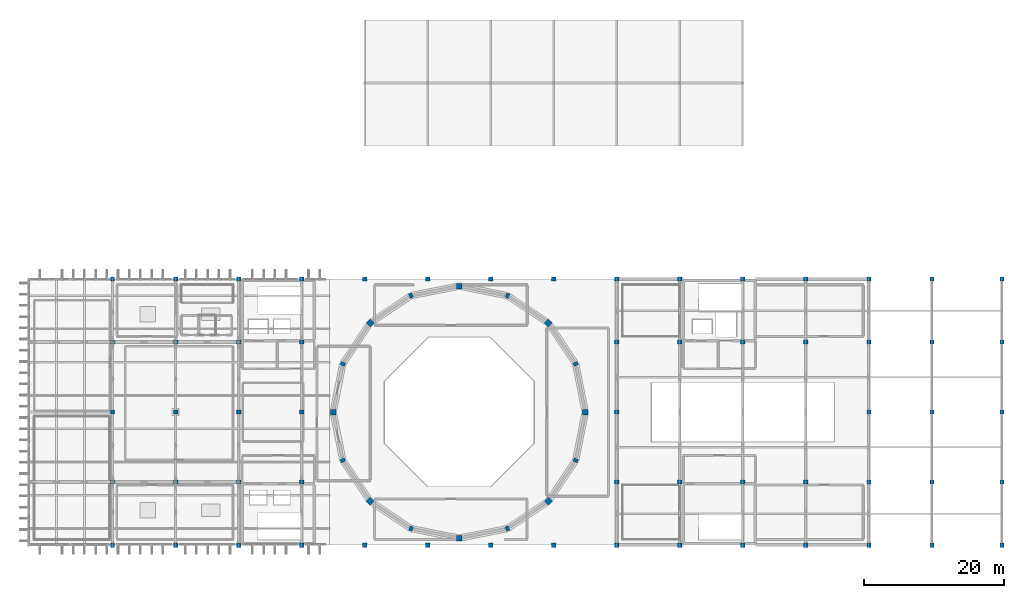
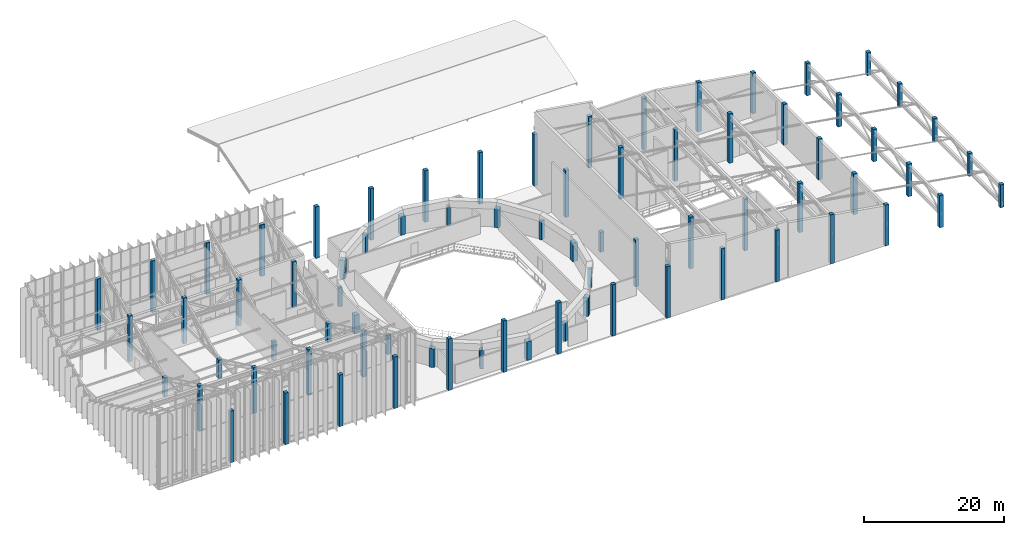
# One storey, part 1 of 68: 76 columns.
"""IFC4 building model written with IfcOpenShell, lengths in metres."""

from ifc_helpers import new_model, si_unit, direction, frame, origin, origin_2d, place, context, subcontext, project, spatial, rectangle, extrude, material, material_profile, profile_set, type_object, element, save


model = new_model("IFC4")

# Units and contexts
model_context = context("Model", 3, precision=1e-05, world=origin(), true_north=direction((0.0, 1.0)))
body_context = subcontext(model_context, "Body", "Model", "MODEL_VIEW")
ifc_project = project(units=[si_unit("LENGTHUNIT", "METRE"), si_unit("AREAUNIT", "SQUARE_METRE"), si_unit("VOLUMEUNIT", "CUBIC_METRE"), si_unit("PLANEANGLEUNIT", "RADIAN"), si_unit("MASSUNIT", "GRAM", prefix="KILO")], contexts=[model_context])

# Site, building, storey
site_placement = place(None, origin())
site = spatial("IfcSite", under=ifc_project, at=site_placement, CompositionType="ELEMENT")
building_placement = place(site_placement, origin())
building = spatial("IfcBuilding", under=site, at=building_placement, Name="Miravela Opera House", CompositionType="ELEMENT")
storey_placement = place(building_placement, frame((0.0, 0.0, 21.760009765625)))
storey = spatial("IfcBuildingStorey", under=building, at=storey_placement, Name="L05", CompositionType="ELEMENT", Elevation=21.760009765625)

# Columns
ifc_material_1 = material(Name="Concrete C35/45", Category="concrete")
ifc_material_profile_1 = material_profile(ifc_material_1, rectangle(XDim=0.60009765625, YDim=0.60009765625, at=origin_2d()), Name="RC-COL-600X600")
ifc_profile_set_1 = profile_set([ifc_material_profile_1])
column_type_1 = type_object("IfcColumnType", Name="STR-COL-RC600", PredefinedType="COLUMN", material=ifc_profile_set_1)
for number, where, z_axis, x_axis, name in (
    (1, (81.0, 37.0, 0.0), (0.0, 0.0, 1.0), (1.0, 0.0, 0.0), "Column C-10E (L05)"),
    (2, (81.0, 75.0, 0.0), (0.0, 0.0, 1.0), (1.0, 0.0, 0.0), "Column C-10I (L05)"),
    (3, (90.0, 37.0, 0.0), (0.0, 0.0, 1.0), (1.0, 0.0, 0.0), "Column C-11E (L05)"),
    (4, (90.0, 75.0, 0.0), (0.0, 0.0, 1.0), (1.0, 0.0, 0.0), "Column C-11I (L05)"),
    (5, (99.0, 37.0, 0.0), (0.0, 0.0, 1.0), (1.0, 0.0, 0.0), "Column C-12E (L05)"),
):
    element("IfcColumn", number, at=place(storey_placement, frame(where, z_axis=z_axis, x_axis=x_axis)), inside=storey, type_object=column_type_1, Name=name, PredefinedType="COLUMN", context=body_context, shape_type="SweptSolid", body=[
        extrude(rectangle(XDim=0.60009765625, YDim=0.60009765625, at=origin_2d()), origin(), (0.0, 0.0, 1.0), 9.0),
    ])
column_1_placement = place(storey_placement, frame((99.0, 46.0, 0.0), z_axis=(0.0, 0.0, 1.0), x_axis=(1.0, 0.0, 0.0)))
element("IfcColumn", 6, at=column_1_placement, inside=storey, type_object=column_type_1, Name="Column C-12F (L05)", PredefinedType="COLUMN", context=body_context, shape_type="SweptSolid", body=[
    extrude(rectangle(XDim=0.60009765625, YDim=0.60009765625, at=origin_2d()), origin(), (0.0, 0.0, 1.0), 8.216796875),
])
column_2_placement = place(storey_placement, frame((99.0, 56.0, 0.0), z_axis=(0.0, 0.0, 1.0), x_axis=(1.0, 0.0, 0.0)))
element("IfcColumn", 7, at=column_2_placement, inside=storey, type_object=column_type_1, Name="Column C-12G (L05)", PredefinedType="COLUMN", context=body_context, shape_type="SweptSolid", body=[
    extrude(rectangle(XDim=0.60009765625, YDim=0.60009765625, at=origin_2d()), origin(), (0.0, 0.0, 1.0), 3.47998046875),
])
column_3_placement = place(storey_placement, frame((99.0, 66.0, 0.0), z_axis=(0.0, 0.0, 1.0), x_axis=(1.0, 0.0, 0.0)))
element("IfcColumn", 8, at=column_3_placement, inside=storey, type_object=column_type_1, Name="Column C-12H (L05)", PredefinedType="COLUMN", context=body_context, shape_type="SweptSolid", body=[
    extrude(rectangle(XDim=0.60009765625, YDim=0.60009765625, at=origin_2d()), origin(), (0.0, 0.0, 1.0), 8.216796875),
])
for number, where, z_axis, x_axis, name in (
    (9, (99.0, 75.0, 0.0), (0.0, 0.0, 1.0), (1.0, 0.0, 0.0), "Column C-12I (L05)"),
    (10, (108.0, 37.0, 0.0), (0.0, 0.0, 1.0), (1.0, 0.0, 0.0), "Column C-13E (L05)"),
    (11, (108.0, 46.0, 0.0), (0.0, 0.0, 1.0), (1.0, 0.0, 0.0), "Column C-13F (L05)"),
    (12, (108.0, 66.0, 0.0), (0.0, 0.0, 1.0), (1.0, 0.0, 0.0), "Column C-13H (L05)"),
    (13, (108.0, 75.0, 0.0), (0.0, 0.0, 1.0), (1.0, 0.0, 0.0), "Column C-13I (L05)"),
    (14, (117.0, 37.0, 0.0), (0.0, 0.0, 1.0), (1.0, 0.0, 0.0), "Column C-14E (L05)"),
    (15, (117.0, 46.0, 0.0), (0.0, 0.0, 1.0), (1.0, 0.0, 0.0), "Column C-14F (L05)"),
    (16, (117.0, 66.0, 0.0), (0.0, 0.0, 1.0), (1.0, 0.0, 0.0), "Column C-14H (L05)"),
    (17, (117.0, 75.0, 0.0), (0.0, 0.0, 1.0), (1.0, 0.0, 0.0), "Column C-14I (L05)"),
):
    element("IfcColumn", number, at=place(storey_placement, frame(where, z_axis=z_axis, x_axis=x_axis)), inside=storey, type_object=column_type_1, Name=name, PredefinedType="COLUMN", context=body_context, shape_type="SweptSolid", body=[
        extrude(rectangle(XDim=0.60009765625, YDim=0.60009765625, at=origin_2d()), origin(), (0.0, 0.0, 1.0), 9.0),
    ])
for number, where, z_axis, x_axis, name in (
    (18, (126.0, 37.0, 0.0), (0.0, 0.0, 1.0), (1.0, 0.0, 0.0), "Column C-15E (L05)"),
    (19, (126.0, 46.0, 0.0), (0.0, 0.0, 1.0), (1.0, 0.0, 0.0), "Column C-15F (L05)"),
    (20, (126.0, 66.0, 0.0), (0.0, 0.0, 1.0), (1.0, 0.0, 0.0), "Column C-15H (L05)"),
    (21, (126.0, 75.0, 0.0), (0.0, 0.0, 1.0), (1.0, 0.0, 0.0), "Column C-15I (L05)"),
):
    element("IfcColumn", number, at=place(storey_placement, frame(where, z_axis=z_axis, x_axis=x_axis)), inside=storey, type_object=column_type_1, Name=name, PredefinedType="COLUMN", context=body_context, shape_type="SweptSolid", body=[
        extrude(rectangle(XDim=0.60009765625, YDim=0.60009765625, at=origin_2d()), origin(), (0.0, 0.0, 1.0), 8.601806640625),
    ])
for number, where, z_axis, x_axis, name in (
    (22, (135.0, 37.0, 0.0), (0.0, 0.0, 1.0), (1.0, 0.0, 0.0), "Column C-16E (L05)"),
    (23, (135.0, 46.0, 0.0), (0.0, 0.0, 1.0), (1.0, 0.0, 0.0), "Column C-16F (L05)"),
    (24, (135.0, 56.0, 0.0), (0.0, 0.0, 1.0), (1.0, 0.0, 0.0), "Column C-16G (L05)"),
    (25, (135.0, 66.0, 0.0), (0.0, 0.0, 1.0), (1.0, 0.0, 0.0), "Column C-16H (L05)"),
    (26, (135.0, 75.0, 0.0), (0.0, 0.0, 1.0), (1.0, 0.0, 0.0), "Column C-16I (L05)"),
):
    element("IfcColumn", number, at=place(storey_placement, frame(where, z_axis=z_axis, x_axis=x_axis)), inside=storey, type_object=column_type_1, Name=name, PredefinedType="COLUMN", context=body_context, shape_type="SweptSolid", body=[
        extrude(rectangle(XDim=0.60009765625, YDim=0.60009765625, at=origin_2d()), origin(), (0.0, 0.0, 1.0), 7.129150390625),
    ])
for number, where, z_axis, x_axis, name in (
    (27, (144.0, 37.0, 0.0), (0.0, 0.0, 1.0), (1.0, 0.0, 0.0), "Column C-17E (L05)"),
    (28, (144.0, 46.0, 0.0), (0.0, 0.0, 1.0), (1.0, 0.0, 0.0), "Column C-17F (L05)"),
    (29, (144.0, 56.0, 0.0), (0.0, 0.0, 1.0), (1.0, 0.0, 0.0), "Column C-17G (L05)"),
    (30, (144.0, 66.0, 0.0), (0.0, 0.0, 1.0), (1.0, 0.0, 0.0), "Column C-17H (L05)"),
    (31, (144.0, 75.0, 0.0), (0.0, 0.0, 1.0), (1.0, 0.0, 0.0), "Column C-17I (L05)"),
):
    element("IfcColumn", number, at=place(storey_placement, frame(where, z_axis=z_axis, x_axis=x_axis)), inside=storey, type_object=column_type_1, Name=name, PredefinedType="COLUMN", context=body_context, shape_type="SweptSolid", body=[
        extrude(rectangle(XDim=0.60009765625, YDim=0.60009765625, at=origin_2d()), origin(), (0.0, 0.0, 1.0), 5.65625),
    ])
for number, where, z_axis, x_axis, name in (
    (32, (154.0, 37.0, 0.0), (0.0, 0.0, 1.0), (1.0, 0.0, 0.0), "Column C-18E (L05)"),
    (33, (154.0, 46.0, 0.0), (0.0, 0.0, 1.0), (1.0, 0.0, 0.0), "Column C-18F (L05)"),
    (34, (154.0, 56.0, 0.0), (0.0, 0.0, 1.0), (1.0, 0.0, 0.0), "Column C-18G (L05)"),
    (35, (154.0, 66.0, 0.0), (0.0, 0.0, 1.0), (1.0, 0.0, 0.0), "Column C-18H (L05)"),
    (36, (154.0, 75.0, 0.0), (0.0, 0.0, 1.0), (1.0, 0.0, 0.0), "Column C-18I (L05)"),
):
    element("IfcColumn", number, at=place(storey_placement, frame(where, z_axis=z_axis, x_axis=x_axis)), inside=storey, type_object=column_type_1, Name=name, PredefinedType="COLUMN", context=body_context, shape_type="SweptSolid", body=[
        extrude(rectangle(XDim=0.60009765625, YDim=0.60009765625, at=origin_2d()), origin(), (0.0, 0.0, 1.0), 4.02001953125),
    ])
column_4_placement = place(storey_placement, frame((27.0, 37.0, 0.0), z_axis=(0.0, 0.0, 1.0), x_axis=(1.0, 0.0, 0.0)))
element("IfcColumn", 37, at=column_4_placement, inside=storey, type_object=column_type_1, Name="Column C-4E (L05)", PredefinedType="COLUMN", context=body_context, shape_type="SweptSolid", body=[
    extrude(rectangle(XDim=0.60009765625, YDim=0.60009765625, at=origin_2d()), origin(), (0.0, 0.0, 1.0), 9.0),
])
column_5_placement = place(storey_placement, frame((27.0, 46.0, 0.0), z_axis=(0.0, 0.0, 1.0), x_axis=(1.0, 0.0, 0.0)))
element("IfcColumn", 38, at=column_5_placement, inside=storey, type_object=column_type_1, Name="Column C-4F (L05)", PredefinedType="COLUMN", context=body_context, shape_type="SweptSolid", body=[
    extrude(rectangle(XDim=0.60009765625, YDim=0.60009765625, at=origin_2d()), origin(), (0.0, 0.0, 1.0), 7.98681640625),
])
column_6_placement = place(storey_placement, frame((27.0, 56.0, 0.0), z_axis=(0.0, 0.0, 1.0), x_axis=(1.0, 0.0, 0.0)))
element("IfcColumn", 39, at=column_6_placement, inside=storey, type_object=column_type_1, Name="Column C-4G (L05)", PredefinedType="COLUMN", context=body_context, shape_type="SweptSolid", body=[
    extrude(rectangle(XDim=0.60009765625, YDim=0.60009765625, at=origin_2d()), origin(), (0.0, 0.0, 1.0), 3.25),
])
column_7_placement = place(storey_placement, frame((27.0, 66.0, 0.0), z_axis=(0.0, 0.0, 1.0), x_axis=(1.0, 0.0, 0.0)))
element("IfcColumn", 40, at=column_7_placement, inside=storey, type_object=column_type_1, Name="Column C-4H (L05)", PredefinedType="COLUMN", context=body_context, shape_type="SweptSolid", body=[
    extrude(rectangle(XDim=0.60009765625, YDim=0.60009765625, at=origin_2d()), origin(), (0.0, 0.0, 1.0), 7.98681640625),
])
for number, where, z_axis, x_axis, name in (
    (41, (27.0, 75.0, 0.0), (0.0, 0.0, 1.0), (1.0, 0.0, 0.0), "Column C-4I (L05)"),
    (42, (36.0, 37.0, 0.0), (0.0, 0.0, 1.0), (1.0, 0.0, 0.0), "Column C-5E (L05)"),
):
    element("IfcColumn", number, at=place(storey_placement, frame(where, z_axis=z_axis, x_axis=x_axis)), inside=storey, type_object=column_type_1, Name=name, PredefinedType="COLUMN", context=body_context, shape_type="SweptSolid", body=[
        extrude(rectangle(XDim=0.60009765625, YDim=0.60009765625, at=origin_2d()), origin(), (0.0, 0.0, 1.0), 9.0),
    ])
column_8_placement = place(storey_placement, frame((36.0, 46.0, 0.0), z_axis=(0.0, 0.0, 1.0), x_axis=(1.0, 0.0, 0.0)))
element("IfcColumn", 43, at=column_8_placement, inside=storey, type_object=column_type_1, Name="Column C-5F (L05)", PredefinedType="COLUMN", context=body_context, shape_type="SweptSolid", body=[
    extrude(rectangle(XDim=0.60009765625, YDim=0.60009765625, at=origin_2d()), origin(), (0.0, 0.0, 1.0), 7.98681640625),
])
column_9_placement = place(storey_placement, frame((36.0, 56.0, 0.0), z_axis=(0.0, 0.0, 1.0), x_axis=(1.0, 0.0, 0.0)))
element("IfcColumn", 44, at=column_9_placement, inside=storey, type_object=column_type_1, Name="Column C-5G (L05)", PredefinedType="COLUMN", context=body_context, shape_type="SweptSolid", body=[
    extrude(rectangle(XDim=0.60009765625, YDim=0.60009765625, at=origin_2d()), origin(), (0.0, 0.0, 1.0), 3.25),
])
column_10_placement = place(storey_placement, frame((36.0, 66.0, 0.0), z_axis=(0.0, 0.0, 1.0), x_axis=(1.0, 0.0, 0.0)))
element("IfcColumn", 45, at=column_10_placement, inside=storey, type_object=column_type_1, Name="Column C-5H (L05)", PredefinedType="COLUMN", context=body_context, shape_type="SweptSolid", body=[
    extrude(rectangle(XDim=0.60009765625, YDim=0.60009765625, at=origin_2d()), origin(), (0.0, 0.0, 1.0), 7.98681640625),
])
for number, where, z_axis, x_axis, name in (
    (46, (36.0, 75.0, 0.0), (0.0, 0.0, 1.0), (1.0, 0.0, 0.0), "Column C-5I (L05)"),
    (47, (45.0, 37.0, 0.0), (0.0, 0.0, 1.0), (1.0, 0.0, 0.0), "Column C-6E (L05)"),
):
    element("IfcColumn", number, at=place(storey_placement, frame(where, z_axis=z_axis, x_axis=x_axis)), inside=storey, type_object=column_type_1, Name=name, PredefinedType="COLUMN", context=body_context, shape_type="SweptSolid", body=[
        extrude(rectangle(XDim=0.60009765625, YDim=0.60009765625, at=origin_2d()), origin(), (0.0, 0.0, 1.0), 9.0),
    ])
column_11_placement = place(storey_placement, frame((45.0, 46.0, 0.0), z_axis=(0.0, 0.0, 1.0), x_axis=(1.0, 0.0, 0.0)))
element("IfcColumn", 48, at=column_11_placement, inside=storey, type_object=column_type_1, Name="Column C-6F (L05)", PredefinedType="COLUMN", context=body_context, shape_type="SweptSolid", body=[
    extrude(rectangle(XDim=0.60009765625, YDim=0.60009765625, at=origin_2d()), origin(), (0.0, 0.0, 1.0), 7.98681640625),
])
column_12_placement = place(storey_placement, frame((45.0, 56.0, 0.0), z_axis=(0.0, 0.0, 1.0), x_axis=(1.0, 0.0, 0.0)))
element("IfcColumn", 49, at=column_12_placement, inside=storey, type_object=column_type_1, Name="Column C-6G (L05)", PredefinedType="COLUMN", context=body_context, shape_type="SweptSolid", body=[
    extrude(rectangle(XDim=0.60009765625, YDim=0.60009765625, at=origin_2d()), origin(), (0.0, 0.0, 1.0), 3.25),
])
column_13_placement = place(storey_placement, frame((45.0, 66.0, 0.0), z_axis=(0.0, 0.0, 1.0), x_axis=(1.0, 0.0, 0.0)))
element("IfcColumn", 50, at=column_13_placement, inside=storey, type_object=column_type_1, Name="Column C-6H (L05)", PredefinedType="COLUMN", context=body_context, shape_type="SweptSolid", body=[
    extrude(rectangle(XDim=0.60009765625, YDim=0.60009765625, at=origin_2d()), origin(), (0.0, 0.0, 1.0), 7.98681640625),
])
for number, where, z_axis, x_axis, name in (
    (51, (45.0, 75.0, 0.0), (0.0, 0.0, 1.0), (1.0, 0.0, 0.0), "Column C-6I (L05)"),
    (52, (54.0, 37.0, 0.0), (0.0, 0.0, 1.0), (1.0, 0.0, 0.0), "Column C-7E (L05)"),
):
    element("IfcColumn", number, at=place(storey_placement, frame(where, z_axis=z_axis, x_axis=x_axis)), inside=storey, type_object=column_type_1, Name=name, PredefinedType="COLUMN", context=body_context, shape_type="SweptSolid", body=[
        extrude(rectangle(XDim=0.60009765625, YDim=0.60009765625, at=origin_2d()), origin(), (0.0, 0.0, 1.0), 9.0),
    ])
column_14_placement = place(storey_placement, frame((54.0, 46.0, 0.0), z_axis=(0.0, 0.0, 1.0), x_axis=(1.0, 0.0, 0.0)))
element("IfcColumn", 53, at=column_14_placement, inside=storey, type_object=column_type_1, Name="Column C-7F (L05)", PredefinedType="COLUMN", context=body_context, shape_type="SweptSolid", body=[
    extrude(rectangle(XDim=0.60009765625, YDim=0.60009765625, at=origin_2d()), origin(), (0.0, 0.0, 1.0), 7.98681640625),
])
column_15_placement = place(storey_placement, frame((54.0, 56.0, 0.0), z_axis=(0.0, 0.0, 1.0), x_axis=(1.0, 0.0, 0.0)))
element("IfcColumn", 54, at=column_15_placement, inside=storey, type_object=column_type_1, Name="Column C-7G (L05)", PredefinedType="COLUMN", context=body_context, shape_type="SweptSolid", body=[
    extrude(rectangle(XDim=0.60009765625, YDim=0.60009765625, at=origin_2d()), origin(), (0.0, 0.0, 1.0), 3.25),
])
column_16_placement = place(storey_placement, frame((54.0, 66.0, 0.0), z_axis=(0.0, 0.0, 1.0), x_axis=(1.0, 0.0, 0.0)))
element("IfcColumn", 55, at=column_16_placement, inside=storey, type_object=column_type_1, Name="Column C-7H (L05)", PredefinedType="COLUMN", context=body_context, shape_type="SweptSolid", body=[
    extrude(rectangle(XDim=0.60009765625, YDim=0.60009765625, at=origin_2d()), origin(), (0.0, 0.0, 1.0), 7.98681640625),
])
for number, where, z_axis, x_axis, name in (
    (56, (54.0, 75.0, 0.0), (0.0, 0.0, 1.0), (1.0, 0.0, 0.0), "Column C-7I (L05)"),
    (57, (63.0, 37.0, 0.0), (0.0, 0.0, 1.0), (1.0, 0.0, 0.0), "Column C-8E (L05)"),
    (58, (63.0, 75.0, 0.0), (0.0, 0.0, 1.0), (1.0, 0.0, 0.0), "Column C-8I (L05)"),
    (59, (72.0, 37.0, 0.0), (0.0, 0.0, 1.0), (1.0, 0.0, 0.0), "Column C-9E (L05)"),
    (60, (72.0, 75.0, 0.0), (0.0, 0.0, 1.0), (1.0, 0.0, 0.0), "Column C-9I (L05)"),
):
    element("IfcColumn", number, at=place(storey_placement, frame(where, z_axis=z_axis, x_axis=x_axis)), inside=storey, type_object=column_type_1, Name=name, PredefinedType="COLUMN", context=body_context, shape_type="SweptSolid", body=[
        extrude(rectangle(XDim=0.60009765625, YDim=0.60009765625, at=origin_2d()), origin(), (0.0, 0.0, 1.0), 9.0),
    ])
ifc_material_profile_2 = material_profile(ifc_material_1, rectangle(XDim=0.64990234375, YDim=0.5, at=origin_2d()), Name="RC-PIL-650X500")
ifc_profile_set_2 = profile_set([ifc_material_profile_2])
column_type_2 = type_object("IfcColumnType", Name="STR-PIL-RC650X500", PredefinedType="PILASTER", material=ifc_profile_set_2)
for number, where, z_axis, x_axis, name in (
    (61, (93.1298828125, 62.88818359375, 0.0), (0.0, 0.0, 1.0), (0.923879532511, 0.382683432365, 0.0), "Auditorium Drum Column DC-02 (L05)"),
    (62, (83.38818359375, 72.6298828125, 0.0), (0.0, 0.0, 1.0), (0.382683432365, 0.923879532511, 0.0), "Auditorium Drum Column DC-04 (L05)"),
    (63, (69.61181640625, 72.6298828125, 0.0), (0.0, 0.0, 1.0), (-0.382683432365, 0.923879532511, 0.0), "Auditorium Drum Column DC-06 (L05)"),
    (64, (59.8701171875, 62.88818359375, 0.0), (0.0, 0.0, 1.0), (-0.923879532511, 0.382683432365, 0.0), "Auditorium Drum Column DC-08 (L05)"),
    (65, (59.8701171875, 49.11181640625, 0.0), (0.0, 0.0, 1.0), (-0.923879532511, -0.382683432365, 0.0), "Auditorium Drum Column DC-10 (L05)"),
    (66, (69.61181640625, 39.3701171875, 0.0), (0.0, 0.0, 1.0), (-0.382683432365, -0.923879532511, 0.0), "Auditorium Drum Column DC-12 (L05)"),
    (67, (83.38818359375, 39.3701171875, 0.0), (0.0, 0.0, 1.0), (0.382683432365, -0.923879532511, 0.0), "Auditorium Drum Column DC-14 (L05)"),
    (68, (93.1298828125, 49.11181640625, 0.0), (0.0, 0.0, 1.0), (0.923879532511, -0.382683432365, 0.0), "Auditorium Drum Column DC-16 (L05)"),
):
    element("IfcColumn", number, at=place(storey_placement, frame(where, z_axis=z_axis, x_axis=x_axis)), inside=storey, type_object=column_type_2, Name=name, PredefinedType="PILASTER", context=body_context, shape_type="SweptSolid", body=[
        extrude(rectangle(XDim=0.64990234375, YDim=0.5, at=origin_2d()), origin(), (0.0, 0.0, 1.0), 3.260009765625),
    ])
ifc_material_2 = material(Name="Concrete C40/50", Category="concrete")
ifc_material_profile_3 = material_profile(ifc_material_2, rectangle(XDim=0.800048828125, YDim=0.800048828125, at=origin_2d()), Name="RC-COL-800X800")
ifc_profile_set_3 = profile_set([ifc_material_profile_3])
column_type_3 = type_object("IfcColumnType", Name="STR-PIL-RC800", PredefinedType="PILASTER", material=ifc_profile_set_3)
for number, where, z_axis, x_axis, name in (
    (69, (94.5, 56.0, 0.0), (0.0, 0.0, 1.0), (1.0, 0.0, 0.0), "Auditorium Drum Column DC-01 (L05)"),
    (70, (89.227783203125, 68.727783203125, 0.0), (0.0, 0.0, 1.0), (0.707106781187, 0.707106781187, 0.0), "Auditorium Drum Column DC-03 (L05)"),
    (71, (76.5, 74.0, 0.0), (0.0, 0.0, 1.0), (0.0, 1.0, 0.0), "Auditorium Drum Column DC-05 (L05)"),
    (72, (63.772216796875, 68.727783203125, 0.0), (0.0, 0.0, 1.0), (-0.707106781187, 0.707106781187, 0.0), "Auditorium Drum Column DC-07 (L05)"),
    (73, (58.5, 56.0, 0.0), (0.0, 0.0, 1.0), (-1.0, 0.0, 0.0), "Auditorium Drum Column DC-09 (L05)"),
    (74, (63.772216796875, 43.272216796875, 0.0), (0.0, 0.0, 1.0), (-0.707106781187, -0.707106781187, 0.0), "Auditorium Drum Column DC-11 (L05)"),
    (75, (76.5, 38.0, 0.0), (0.0, 0.0, 1.0), (0.0, -1.0, 0.0), "Auditorium Drum Column DC-13 (L05)"),
    (76, (89.227783203125, 43.272216796875, 0.0), (0.0, 0.0, 1.0), (0.707106781187, -0.707106781187, 0.0), "Auditorium Drum Column DC-15 (L05)"),
):
    element("IfcColumn", number, at=place(storey_placement, frame(where, z_axis=z_axis, x_axis=x_axis)), inside=storey, type_object=column_type_3, Name=name, PredefinedType="PILASTER", context=body_context, shape_type="SweptSolid", body=[
        extrude(rectangle(XDim=0.800048828125, YDim=0.800048828125, at=origin_2d()), origin(), (0.0, 0.0, 1.0), 3.260009765625),
    ])

save(model, "model.ifc")
